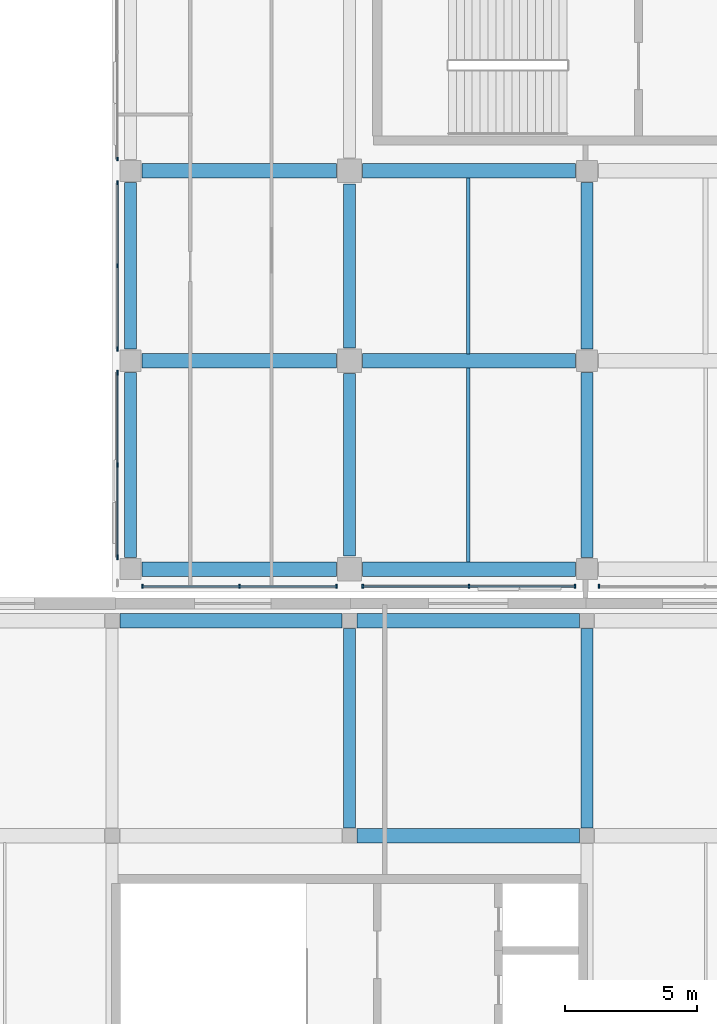
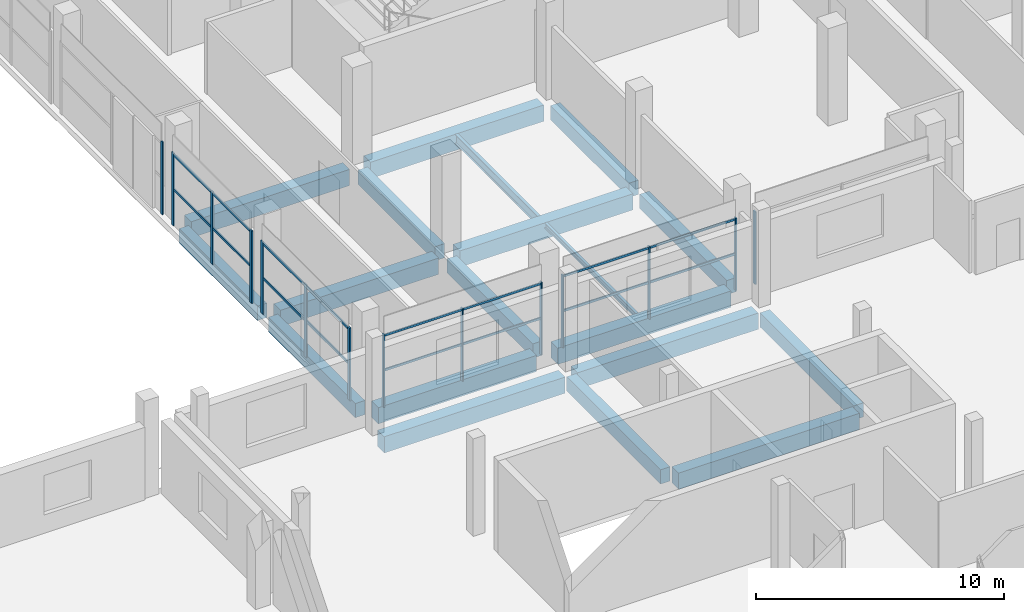
# One storey, part 27 of 111: 22 members, 19 beams, 6 elements without a shape of their own.
"""IFC4 building model written with IfcOpenShell, lengths in metres."""

import ifcopenshell
import ifcopenshell.guid

model = None  # the IFC model being written
_history = None  # IfcOwnerHistory: only IFC2X3 demands one
_inside = {}  # id of a spatial element -> (the spatial element, [elements in it])
_under = {}  # id of a project, library or spatial element -> (it, [spatial elements below it])
_declared = {}  # id of a project -> (the project, [libraries it declares])
_typed = {}  # id of a type object -> (the type object, [elements of that type])
_made_of = {}  # id of a material, layer set ... -> (it, [elements and type objects made of it])


def new_model(schema):
    """Start an empty IFC model of exactly this schema.

    Asked for "IFC4X3", IfcOpenShell would pick the latest addendum, in which some entities
    have other attributes; the version numbers below select the first issue.
    IFC2X3 requires an IfcOwnerHistory on every rooted entity: one is made here for all.
    """
    global model, _history
    if schema == "IFC4X3":
        model = ifcopenshell.file(schema_version=(4, 3, 0, 0))
    else:
        model = ifcopenshell.file(schema=schema)
    _inside.clear()
    _under.clear()
    _declared.clear()
    _typed.clear()
    _made_of.clear()
    _history = None
    if model.schema == "IFC2X3":
        org = make("IfcOrganization", Name="unknown")
        user = make(
            "IfcPersonAndOrganization",
            ThePerson=make("IfcPerson", FamilyName="unknown"),
            TheOrganization=org,
        )
        app = make(
            "IfcApplication",
            ApplicationDeveloper=org,
            Version="unknown",
            ApplicationFullName="unknown",
            ApplicationIdentifier="unknown",
        )
        _history = make(
            "IfcOwnerHistory",
            OwningUser=user,
            OwningApplication=app,
            ChangeAction="ADDED",
            CreationDate=0,
        )
    return model


def make(cls, **values):
    """One entity of the class cls with the attributes given. An attribute that is None is left unset."""
    return model.create_entity(
        cls, **{name: value for name, value in values.items() if value is not None}
    )


def rooted(cls, **values):
    """An entity with a GlobalId (a new one), such as an element, a storey or a relation."""
    return make(cls, GlobalId=ifcopenshell.guid.new(), OwnerHistory=_history, **values)


def si_unit(unit_type, name, prefix=None):
    """IfcSIUnit, for example si_unit("LENGTHUNIT", "METRE", prefix="MILLI")."""
    return make("IfcSIUnit", UnitType=unit_type, Prefix=prefix, Name=name)


def assignment(units):
    """IfcUnitAssignment: the units of a project."""
    return None if units is None else make("IfcUnitAssignment", Units=units)


def point(xyz):
    """IfcCartesianPoint."""
    return None if xyz is None else make("IfcCartesianPoint", Coordinates=xyz)


def direction(xyz):
    """IfcDirection."""
    return None if xyz is None else make("IfcDirection", DirectionRatios=xyz)


def frame(location, z_axis=None, x_axis=None):
    """IfcAxis2Placement3D, a coordinate frame: its origin and axes. An axis left out is left unset."""
    return make(
        "IfcAxis2Placement3D",
        Location=point(location),
        Axis=direction(z_axis),
        RefDirection=direction(x_axis),
    )


def frame_2d(location, x_axis=None):
    """IfcAxis2Placement2D, a coordinate frame in the plane: its origin and x axis."""
    return make(
        "IfcAxis2Placement2D", Location=point(location), RefDirection=direction(x_axis)
    )


def origin():
    """The frame at (0, 0, 0) with its axes left unset."""
    return frame((0.0, 0.0, 0.0))


def origin_2d():
    """The frame at (0, 0) in the plane with its x axis left unset."""
    return frame_2d((0.0, 0.0))


def place(relative_to, where):
    """IfcLocalPlacement: puts the frame where relative to a parent placement (None: the world)."""
    return make(
        "IfcLocalPlacement", PlacementRelTo=relative_to, RelativePlacement=where
    )


def context(
    kind, dimensions, precision=None, world=None, true_north=None, identifier=None
):
    """IfcGeometricRepresentationContext, for example the 3D "Model" context."""
    return make(
        "IfcGeometricRepresentationContext",
        ContextIdentifier=identifier,
        ContextType=kind,
        CoordinateSpaceDimension=dimensions,
        Precision=precision,
        WorldCoordinateSystem=world,
        TrueNorth=true_north,
    )


def subcontext(parent, identifier, kind, view, scale=None):
    """IfcGeometricRepresentationSubContext, for example "Body" below "Model"."""
    return make(
        "IfcGeometricRepresentationSubContext",
        ContextIdentifier=identifier,
        ContextType=kind,
        ParentContext=parent,
        TargetScale=scale,
        TargetView=view,
    )


def project(units=None, contexts=None):
    """IfcProject with its units and contexts."""
    return rooted(
        "IfcProject",
        Name="project",
        RepresentationContexts=contexts,
        UnitsInContext=assignment(units),
    )


def spatial(cls, under=None, at=None, **own):
    """A site, building, storey or space (cls), placed at a placement, below another one or the project."""
    s = rooted(cls, ObjectPlacement=at, **own)
    if under is not None:
        _under.setdefault(under.id(), (under, []))[1].append(s)
    return s


def profile(cls, at=None, kind="AREA", **sizes):
    """A parametric profile (cls). Its sizes go by their IFC names, for example OverallWidth=200.0."""
    return make(cls, ProfileType=kind, Position=at, **sizes)


def rectangle(**sizes):
    """IfcRectangleProfileDef."""
    return profile("IfcRectangleProfileDef", **sizes)


def i_section(**sizes):
    """IfcIShapeProfileDef."""
    return profile("IfcIShapeProfileDef", **sizes)


def extrude(swept, where, along, depth):
    """IfcExtrudedAreaSolid: the profile swept, set in the frame where, extruded along a direction by depth."""
    return make(
        "IfcExtrudedAreaSolid",
        SweptArea=swept,
        Position=where,
        ExtrudedDirection=direction(along),
        Depth=depth,
    )


def shape(context_of_items, identifier, shape_type, items):
    """IfcShapeRepresentation: the items that make up one representation, for example the "Body"."""
    return make(
        "IfcShapeRepresentation",
        ContextOfItems=context_of_items,
        RepresentationIdentifier=identifier,
        RepresentationType=shape_type,
        Items=items,
    )


def material(Name=None, Category=None):
    """IfcMaterial."""
    return make("IfcMaterial", Name=Name, Category=Category)


def material_profile(
    of_material, cross_section, Name=None, Category=None, Priority=None
):
    """IfcMaterialProfile: a cross section and its material."""
    return make(
        "IfcMaterialProfile",
        Name=Name,
        Material=of_material,
        Profile=cross_section,
        Priority=Priority,
        Category=Category,
    )


def profile_set(profiles, Name=None, composite=None):
    """IfcMaterialProfileSet."""
    return make(
        "IfcMaterialProfileSet",
        Name=Name,
        MaterialProfiles=profiles,
        CompositeProfile=composite,
    )


def made_of(thing, what):
    """Note that an element or type object is made of a material, layer set ...; save() writes the relation."""
    if what is not None:
        _made_of.setdefault(what.id(), (what, []))[1].append(thing)
    return thing


def type_object(cls, material=None, **own):
    """A type object (cls), such as IfcWallType, which elements share."""
    return made_of(rooted(cls, **own), material)


def element(
    cls,
    number,
    at=None,
    inside=None,
    cuts=None,
    type_object=None,
    material=None,
    context=None,
    identifier="Body",
    shape_type=None,
    held_by="IfcProductDefinitionShape",
    body=None,
    shapes=None,
    **own,
):
    """One element of the class cls, such as IfcWall. Its Tag is "e" and its number.

    at: its placement. inside: the storey or other place that contains it. cuts: it is an
    opening in that element (IfcRelVoidsElement). A single representation is given by context,
    identifier, shape_type and body (its items); several are given by shapes. held_by: the class
    of the entity that holds the representations. save() writes the other relations.
    """
    e = rooted(cls, Tag="e%d" % number, ObjectPlacement=at, **own)
    if body is not None:
        shapes = [shape(context, identifier, shape_type, body)]
    if shapes is not None:
        e.Representation = make(held_by, Representations=shapes)
    if inside is not None:
        _inside.setdefault(inside.id(), (inside, []))[1].append(e)
    if cuts is not None:
        rooted(
            "IfcRelVoidsElement", RelatingBuildingElement=cuts, RelatedOpeningElement=e
        )
    if type_object is not None:
        _typed.setdefault(type_object.id(), (type_object, []))[1].append(e)
    return made_of(e, material)


def aggregate(whole, parts):
    """IfcRelAggregates: a whole, such as a stair, and the parts it consists of."""
    return rooted("IfcRelAggregates", RelatingObject=whole, RelatedObjects=parts)


def save(model, path):
    """Write the relations noted so far, then the file.

    IfcRelAggregates (storeys below a building ...), IfcRelContainedInSpatialStructure (elements
    in a storey), IfcRelDefinesByType, IfcRelAssociatesMaterial and IfcRelDeclares: one each for
    every whole, place, type object, material and project.
    """
    for whole, parts in _under.values():
        aggregate(whole, parts)
    for where, things in _inside.values():
        rooted(
            "IfcRelContainedInSpatialStructure",
            RelatedElements=things,
            RelatingStructure=where,
        )
    for kind, things in _typed.values():
        rooted("IfcRelDefinesByType", RelatedObjects=things, RelatingType=kind)
    for what, things in _made_of.values():
        rooted("IfcRelAssociatesMaterial", RelatedObjects=things, RelatingMaterial=what)
    for by, libraries in _declared.values():
        rooted("IfcRelDeclares", RelatingContext=by, RelatedDefinitions=libraries)
    model.write(path)


model = new_model("IFC4")

# Units and contexts
model_context = context("Model", 3, precision=1e-05, world=origin(), true_north=direction((0.0, 1.0)))
body_context = subcontext(model_context, "Body", "Model", "MODEL_VIEW")
ifc_project = project(units=[si_unit("LENGTHUNIT", "METRE"), si_unit("AREAUNIT", "SQUARE_METRE"), si_unit("VOLUMEUNIT", "CUBIC_METRE"), si_unit("PLANEANGLEUNIT", "RADIAN"), si_unit("MASSUNIT", "GRAM", prefix="KILO"), si_unit("THERMODYNAMICTEMPERATUREUNIT", "KELVIN"), si_unit("POWERUNIT", "WATT")], contexts=[model_context])

# Site, building, storey
site_placement = place(None, origin())
site = spatial("IfcSite", under=ifc_project, at=site_placement, CompositionType="ELEMENT")
building_placement = place(site_placement, origin())
building = spatial("IfcBuilding", under=site, at=building_placement, Name="Sindhuravela Promenade Stadium", CompositionType="ELEMENT")
storey_placement = place(building_placement, frame((0.0, 0.0, 9.60009765625)))
storey = spatial("IfcBuildingStorey", under=building, at=storey_placement, Name="L02", CompositionType="ELEMENT", Elevation=9.60009765625)

# Curtain wall, members
ifc_material_1 = material(Name="Anodised architectural aluminium 6063-T6", Category="aluminium")
curtain_wall_type_1 = type_object("IfcCurtainWallType", Name="CW-MOD-5", PredefinedType="NOTDEFINED", material=ifc_material_1)
curtain_wall_1_placement = place(storey_placement, origin())
curtain_wall_1 = element("IfcCurtainWall", 1, at=curtain_wall_1_placement, inside=storey, type_object=curtain_wall_type_1, Name="Bronze curtain wall CW-EAST-L02-092", PredefinedType="NOTDEFINED")
ifc_material_profile_1 = material_profile(ifc_material_1, rectangle(XDim=0.06005859375, YDim=0.179931640625, at=origin_2d()), Name="ALU M60x180")
ifc_profile_set_1 = profile_set([ifc_material_profile_1], Name="Anodised architectural aluminium 6063-T6")
member_type_1 = type_object("IfcMemberType", Name="CW-MUL-3", PredefinedType="MULLION", material=ifc_profile_set_1)
member_1_placement = place(storey_placement, frame((171.199951171875, 37.550048828125, 0.0), z_axis=(0.0, 0.0, 1.0), x_axis=(1.0, 0.0, 0.0)))
member_1 = element("IfcMember", 2, at=member_1_placement, type_object=member_type_1, Name="Curtain wall mullion CW-EAST-L02-092-M1", PredefinedType="MULLION", context=body_context, shape_type="SweptSolid", body=[
    extrude(rectangle(XDim=0.06005859375, YDim=0.179931640625, at=origin_2d()), origin(), (0.0, 0.0, 1.0), 3.579833984375),
])
member_2_placement = place(storey_placement, frame((171.199951171875, 41.050048828125, 0.0), z_axis=(0.0, 0.0, 1.0), x_axis=(1.0, 0.0, 0.0)))
member_2 = element("IfcMember", 3, at=member_2_placement, type_object=member_type_1, Name="Curtain wall mullion CW-EAST-L02-092-M2", PredefinedType="MULLION", context=body_context, shape_type="SweptSolid", body=[
    extrude(rectangle(XDim=0.06005859375, YDim=0.179931640625, at=origin_2d()), origin(), (0.0, 0.0, 1.0), 3.579833984375),
])
member_3_placement = place(storey_placement, frame((171.199951171875, 44.550048828125, 0.0), z_axis=(0.0, 0.0, 1.0), x_axis=(1.0, 0.0, 0.0)))
member_3 = element("IfcMember", 4, at=member_3_placement, type_object=member_type_1, Name="Curtain wall mullion CW-EAST-L02-092-M3", PredefinedType="MULLION", context=body_context, shape_type="SweptSolid", body=[
    extrude(rectangle(XDim=0.06005859375, YDim=0.179931640625, at=origin_2d()), origin(), (0.0, 0.0, 1.0), 3.579833984375),
])

curtain_wall_type_2 = type_object("IfcCurtainWallType", Name="CW-MOD-6", PredefinedType="NOTDEFINED", material=ifc_material_1)
curtain_wall_2_placement = place(storey_placement, origin())
curtain_wall_2 = element("IfcCurtainWall", 5, at=curtain_wall_2_placement, inside=storey, type_object=curtain_wall_type_2, Name="Bronze curtain wall CW-EAST-L02-093", PredefinedType="NOTDEFINED")
ifc_material_profile_2 = material_profile(ifc_material_1, rectangle(XDim=0.06005859375, YDim=0.159912109375, at=origin_2d()), Name="ALU M60x160")
ifc_profile_set_2 = profile_set([ifc_material_profile_2], Name="Anodised architectural aluminium 6063-T6")
member_type_2 = type_object("IfcMemberType", Name="CW-MUL-4", PredefinedType="MULLION", material=ifc_profile_set_2)
member_4_placement = place(storey_placement, frame((171.199951171875, 45.449951171875, 0.0), z_axis=(0.0, 0.0, 1.0), x_axis=(1.0, 0.0, 0.0)))
member_4 = element("IfcMember", 6, at=member_4_placement, type_object=member_type_2, Name="Curtain wall mullion CW-EAST-L02-093-M1", PredefinedType="MULLION", context=body_context, shape_type="SweptSolid", body=[
    extrude(rectangle(XDim=0.06005859375, YDim=0.159912109375, at=origin_2d()), origin(), (0.0, 0.0, 1.0), 3.579833984375),
])
member_5_placement = place(storey_placement, frame((171.199951171875, 48.60009765625, 0.0), z_axis=(0.0, 0.0, 1.0), x_axis=(1.0, 0.0, 0.0)))
member_5 = element("IfcMember", 7, at=member_5_placement, type_object=member_type_2, Name="Curtain wall mullion CW-EAST-L02-093-M2", PredefinedType="MULLION", context=body_context, shape_type="SweptSolid", body=[
    extrude(rectangle(XDim=0.06005859375, YDim=0.159912109375, at=origin_2d()), origin(), (0.0, 0.0, 1.0), 3.579833984375),
])
member_6_placement = place(storey_placement, frame((171.199951171875, 51.75, 0.0), z_axis=(0.0, 0.0, 1.0), x_axis=(1.0, 0.0, 0.0)))
member_6 = element("IfcMember", 8, at=member_6_placement, type_object=member_type_2, Name="Curtain wall mullion CW-EAST-L02-093-M3", PredefinedType="MULLION", context=body_context, shape_type="SweptSolid", body=[
    extrude(rectangle(XDim=0.06005859375, YDim=0.159912109375, at=origin_2d()), origin(), (0.0, 0.0, 1.0), 3.579833984375),
])

# Curtain wall, member
curtain_wall_3_placement = place(storey_placement, origin())
curtain_wall_3 = element("IfcCurtainWall", 9, at=curtain_wall_3_placement, inside=storey, type_object=curtain_wall_type_2, Name="Bronze curtain wall CW-EAST-L02-117", PredefinedType="NOTDEFINED")
member_7_placement = place(storey_placement, frame((189.449951171875, 36.449951171875, 0.0), z_axis=(0.0, 0.0, 1.0), x_axis=(1.0, 0.0, 0.0)))
member_7 = element("IfcMember", 10, at=member_7_placement, type_object=member_type_2, Name="Curtain wall mullion CW-EAST-L02-117-M3", PredefinedType="MULLION", context=body_context, shape_type="SweptSolid", body=[
    extrude(rectangle(XDim=0.06005859375, YDim=0.159912109375, at=origin_2d()), origin(), (0.0, 0.0, 1.0), 3.579833984375),
])
aggregate(curtain_wall_3, [member_7])

curtain_wall_type_3 = type_object("IfcCurtainWallType", Name="CW-MOD-7", PredefinedType="NOTDEFINED", material=ifc_material_1)
curtain_wall_4_placement = place(storey_placement, origin())
curtain_wall_4 = element("IfcCurtainWall", 11, at=curtain_wall_4_placement, inside=storey, type_object=curtain_wall_type_3, Name="Bronze curtain wall CW-EAST-L02-094", PredefinedType="NOTDEFINED")
ifc_material_profile_3 = material_profile(ifc_material_1, rectangle(XDim=0.06005859375, YDim=0.139892578125, at=origin_2d()), Name="ALU M60x140")
ifc_profile_set_3 = profile_set([ifc_material_profile_3], Name="Anodised architectural aluminium 6063-T6")
member_type_3 = type_object("IfcMemberType", Name="CW-MUL-5", PredefinedType="MULLION", material=ifc_profile_set_3)
member_8_placement = place(storey_placement, frame((171.199951171875, 52.64990234375, 0.0), z_axis=(0.0, 0.0, 1.0), x_axis=(1.0, 0.0, 0.0)))
member_8 = element("IfcMember", 12, at=member_8_placement, type_object=member_type_3, Name="Curtain wall mullion CW-EAST-L02-094-M1", PredefinedType="MULLION", context=body_context, shape_type="SweptSolid", body=[
    extrude(rectangle(XDim=0.06005859375, YDim=0.139892578125, at=origin_2d()), origin(), (0.0, 0.0, 1.0), 3.579833984375),
])
aggregate(curtain_wall_4, [member_8])

# Curtain wall, members
curtain_wall_5_placement = place(storey_placement, origin())
curtain_wall_5 = element("IfcCurtainWall", 13, at=curtain_wall_5_placement, inside=storey, type_object=curtain_wall_type_3, Name="Bronze curtain wall CW-EAST-L02-118", PredefinedType="NOTDEFINED")
member_9_placement = place(storey_placement, frame((188.550048828125, 36.449951171875, 0.0), z_axis=(0.0, 0.0, 1.0), x_axis=(1.0, 0.0, 0.0)))
member_9 = element("IfcMember", 14, at=member_9_placement, type_object=member_type_3, Name="Curtain wall mullion CW-EAST-L02-118-M1", PredefinedType="MULLION", context=body_context, shape_type="SweptSolid", body=[
    extrude(rectangle(XDim=0.06005859375, YDim=0.139892578125, at=origin_2d()), origin(), (0.0, 0.0, 1.0), 3.579833984375),
])
member_10_placement = place(storey_placement, frame((184.52490234375, 36.449951171875, 0.0), z_axis=(0.0, 0.0, 1.0), x_axis=(1.0, 0.0, 0.0)))
member_10 = element("IfcMember", 15, at=member_10_placement, type_object=member_type_3, Name="Curtain wall mullion CW-EAST-L02-118-M2", PredefinedType="MULLION", context=body_context, shape_type="SweptSolid", body=[
    extrude(rectangle(XDim=0.06005859375, YDim=0.139892578125, at=origin_2d()), origin(), (0.0, 0.0, 1.0), 3.579833984375),
])
member_11_placement = place(storey_placement, frame((180.5, 36.449951171875, 0.0), z_axis=(0.0, 0.0, 1.0), x_axis=(1.0, 0.0, 0.0)))
member_11 = element("IfcMember", 16, at=member_11_placement, type_object=member_type_3, Name="Curtain wall mullion CW-EAST-L02-118-M3", PredefinedType="MULLION", context=body_context, shape_type="SweptSolid", body=[
    extrude(rectangle(XDim=0.06005859375, YDim=0.139892578125, at=origin_2d()), origin(), (0.0, 0.0, 1.0), 3.579833984375),
])

curtain_wall_type_4 = type_object("IfcCurtainWallType", Name="CW-MOD-8", PredefinedType="NOTDEFINED", material=ifc_material_1)
curtain_wall_6_placement = place(storey_placement, origin())
curtain_wall_6 = element("IfcCurtainWall", 17, at=curtain_wall_6_placement, inside=storey, type_object=curtain_wall_type_4, Name="Bronze curtain wall CW-EAST-L02-119", PredefinedType="NOTDEFINED")
ifc_material_profile_4 = material_profile(ifc_material_1, rectangle(XDim=0.054931640625, YDim=0.14990234375, at=origin_2d()), Name="ALU M55x150")
ifc_profile_set_4 = profile_set([ifc_material_profile_4], Name="Anodised architectural aluminium 6063-T6")
member_type_4 = type_object("IfcMemberType", Name="CW-MUL-6", PredefinedType="MULLION", material=ifc_profile_set_4)
member_12_placement = place(storey_placement, frame((179.5, 36.449951171875, 0.0), z_axis=(0.0, 0.0, 1.0), x_axis=(1.0, 0.0, 0.0)))
member_12 = element("IfcMember", 18, at=member_12_placement, type_object=member_type_4, Name="Curtain wall mullion CW-EAST-L02-119-M1", PredefinedType="MULLION", context=body_context, shape_type="SweptSolid", body=[
    extrude(rectangle(XDim=0.054931640625, YDim=0.14990234375, at=origin_2d()), origin(), (0.0, 0.0, 1.0), 3.579833984375),
])
member_13_placement = place(storey_placement, frame((175.824951171875, 36.449951171875, 0.0), z_axis=(0.0, 0.0, 1.0), x_axis=(1.0, 0.0, 0.0)))
member_13 = element("IfcMember", 19, at=member_13_placement, type_object=member_type_4, Name="Curtain wall mullion CW-EAST-L02-119-M2", PredefinedType="MULLION", context=body_context, shape_type="SweptSolid", body=[
    extrude(rectangle(XDim=0.054931640625, YDim=0.14990234375, at=origin_2d()), origin(), (0.0, 0.0, 1.0), 3.579833984375),
])
member_14_placement = place(storey_placement, frame((172.14990234375, 36.449951171875, 0.0), z_axis=(0.0, 0.0, 1.0), x_axis=(1.0, 0.0, 0.0)))
member_14 = element("IfcMember", 20, at=member_14_placement, type_object=member_type_4, Name="Curtain wall mullion CW-EAST-L02-119-M3", PredefinedType="MULLION", context=body_context, shape_type="SweptSolid", body=[
    extrude(rectangle(XDim=0.054931640625, YDim=0.14990234375, at=origin_2d()), origin(), (0.0, 0.0, 1.0), 3.579833984375),
])

# Member
ifc_material_profile_5 = material_profile(ifc_material_1, rectangle(XDim=0.06005859375, YDim=0.1298828125, at=origin_2d()), Name="ALU T60x130")
ifc_profile_set_5 = profile_set([ifc_material_profile_5], Name="Anodised architectural aluminium 6063-T6")
member_type_5 = type_object("IfcMemberType", Name="CW-TRN-3", PredefinedType="USERDEFINED", material=ifc_profile_set_5)
member_15_placement = place(storey_placement, frame((171.199951171875, 37.52490234375, 1.789794921875), z_axis=(0.0, 1.0, 0.0), x_axis=(-1.0, 0.0, 0.0)))
member_15 = element("IfcMember", 21, at=member_15_placement, type_object=member_type_5, Name="Curtain wall transom CW-EAST-L02-092-T1", ObjectType="TRANSOM", PredefinedType="USERDEFINED", context=body_context, shape_type="SweptSolid", body=[
    extrude(rectangle(XDim=0.06005859375, YDim=0.1298828125, at=origin_2d()), origin(), (0.0, 0.0, 1.0), 7.050048828125),
])

member_16_placement = place(storey_placement, frame((171.199951171875, 37.52490234375, 3.5), z_axis=(0.0, 1.0, 0.0), x_axis=(-1.0, 0.0, 0.0)))
member_16 = element("IfcMember", 22, at=member_16_placement, type_object=member_type_5, Name="Curtain wall transom CW-EAST-L02-092-T2", ObjectType="TRANSOM", PredefinedType="USERDEFINED", context=body_context, shape_type="SweptSolid", body=[
    extrude(rectangle(XDim=0.06005859375, YDim=0.1298828125, at=origin_2d()), origin(), (0.0, 0.0, 1.0), 7.050048828125),
])

aggregate(curtain_wall_1, [member_1, member_2, member_3, member_15, member_16])

ifc_material_profile_6 = material_profile(ifc_material_1, rectangle(XDim=0.06005859375, YDim=0.1201171875, at=origin_2d()), Name="ALU T60x120")
ifc_profile_set_6 = profile_set([ifc_material_profile_6], Name="Anodised architectural aluminium 6063-T6")
member_type_6 = type_object("IfcMemberType", Name="CW-TRN-4", PredefinedType="USERDEFINED", material=ifc_profile_set_6)
member_17_placement = place(storey_placement, frame((171.199951171875, 45.425048828125, 1.789794921875), z_axis=(0.0, 1.0, 0.0), x_axis=(-1.0, 0.0, 0.0)))
member_17 = element("IfcMember", 23, at=member_17_placement, type_object=member_type_6, Name="Curtain wall transom CW-EAST-L02-093-T1", ObjectType="TRANSOM", PredefinedType="USERDEFINED", context=body_context, shape_type="SweptSolid", body=[
    extrude(rectangle(XDim=0.06005859375, YDim=0.1201171875, at=origin_2d()), origin(), (0.0, 0.0, 1.0), 6.349853515625),
])

member_18_placement = place(storey_placement, frame((171.199951171875, 45.425048828125, 3.5), z_axis=(0.0, 1.0, 0.0), x_axis=(-1.0, 0.0, 0.0)))
member_18 = element("IfcMember", 24, at=member_18_placement, type_object=member_type_6, Name="Curtain wall transom CW-EAST-L02-093-T2", ObjectType="TRANSOM", PredefinedType="USERDEFINED", context=body_context, shape_type="SweptSolid", body=[
    extrude(rectangle(XDim=0.06005859375, YDim=0.1201171875, at=origin_2d()), origin(), (0.0, 0.0, 1.0), 6.349853515625),
])

aggregate(curtain_wall_2, [member_4, member_5, member_6, member_17, member_18])

ifc_material_profile_7 = material_profile(ifc_material_1, rectangle(XDim=0.06005859375, YDim=0.110107421875, at=origin_2d()), Name="ALU T60x110")
ifc_profile_set_7 = profile_set([ifc_material_profile_7], Name="Anodised architectural aluminium 6063-T6")
member_type_7 = type_object("IfcMemberType", Name="CW-TRN-5", PredefinedType="USERDEFINED", material=ifc_profile_set_7)
member_19_placement = place(storey_placement, frame((188.574951171875, 36.449951171875, 1.789794921875), z_axis=(-1.0, 0.0, 0.0), x_axis=(0.0, -1.0, 0.0)))
member_19 = element("IfcMember", 25, at=member_19_placement, type_object=member_type_7, Name="Curtain wall transom CW-EAST-L02-118-T1", ObjectType="TRANSOM", PredefinedType="USERDEFINED", context=body_context, shape_type="SweptSolid", body=[
    extrude(rectangle(XDim=0.06005859375, YDim=0.110107421875, at=origin_2d()), origin(), (0.0, 0.0, 1.0), 8.099853515625),
])

member_20_placement = place(storey_placement, frame((188.574951171875, 36.449951171875, 3.5), z_axis=(-1.0, 0.0, 0.0), x_axis=(0.0, -1.0, 0.0)))
member_20 = element("IfcMember", 26, at=member_20_placement, type_object=member_type_7, Name="Curtain wall transom CW-EAST-L02-118-T2", ObjectType="TRANSOM", PredefinedType="USERDEFINED", context=body_context, shape_type="SweptSolid", body=[
    extrude(rectangle(XDim=0.06005859375, YDim=0.110107421875, at=origin_2d()), origin(), (0.0, 0.0, 1.0), 8.099853515625),
])

aggregate(curtain_wall_5, [member_9, member_10, member_11, member_19, member_20])

ifc_material_profile_8 = material_profile(ifc_material_1, rectangle(XDim=0.054931640625, YDim=0.10498046875, at=origin_2d()), Name="ALU T55x105")
ifc_profile_set_8 = profile_set([ifc_material_profile_8], Name="Anodised architectural aluminium 6063-T6")
member_type_8 = type_object("IfcMemberType", Name="CW-TRN-6", PredefinedType="USERDEFINED", material=ifc_profile_set_8)
member_21_placement = place(storey_placement, frame((179.52490234375, 36.449951171875, 1.789794921875), z_axis=(-1.0, 0.0, 0.0), x_axis=(0.0, -1.0, 0.0)))
member_21 = element("IfcMember", 27, at=member_21_placement, type_object=member_type_8, Name="Curtain wall transom CW-EAST-L02-119-T1", ObjectType="TRANSOM", PredefinedType="USERDEFINED", context=body_context, shape_type="SweptSolid", body=[
    extrude(rectangle(XDim=0.054931640625, YDim=0.10498046875, at=origin_2d()), origin(), (0.0, 0.0, 1.0), 7.39990234375),
])

member_22_placement = place(storey_placement, frame((179.52490234375, 36.449951171875, 3.5), z_axis=(-1.0, 0.0, 0.0), x_axis=(0.0, -1.0, 0.0)))
member_22 = element("IfcMember", 28, at=member_22_placement, type_object=member_type_8, Name="Curtain wall transom CW-EAST-L02-119-T2", ObjectType="TRANSOM", PredefinedType="USERDEFINED", context=body_context, shape_type="SweptSolid", body=[
    extrude(rectangle(XDim=0.054931640625, YDim=0.10498046875, at=origin_2d()), origin(), (0.0, 0.0, 1.0), 7.39990234375),
])

aggregate(curtain_wall_6, [member_12, member_13, member_14, member_21, member_22])

# Beams
ifc_material_2 = material(Name="Concrete M40", Category="concrete")
ifc_material_profile_9 = material_profile(ifc_material_2, rectangle(XDim=0.449951171875, YDim=0.699951171875, at=origin_2d()), Name="RC 450x700")
ifc_profile_set_9 = profile_set([ifc_material_profile_9], Name="Concrete M40")
beam_type_1 = type_object("IfcBeamType", Name="RC-BM-450x700", PredefinedType="BEAM", material=ifc_profile_set_9)
beam_1_placement = place(storey_placement, frame((171.699951171875, 37.5400390625, -0.630126953125), z_axis=(0.0, 1.0, 0.0), x_axis=(-1.0, 0.0, 0.0)))
element("IfcBeam", 29, at=beam_1_placement, inside=storey, type_object=beam_type_1, Name="Primary beam GB07 EAST L02", PredefinedType="BEAM", context=body_context, shape_type="SweptSolid", body=[
    extrude(rectangle(XDim=0.449951171875, YDim=0.699951171875, at=origin_2d()), origin(), (0.0, 0.0, 1.0), 7.02001953125),
])
beam_2_placement = place(storey_placement, frame((171.699951171875, 45.43994140625, -0.630126953125), z_axis=(0.0, 1.0, 0.0), x_axis=(-1.0, 0.0, 0.0)))
element("IfcBeam", 30, at=beam_2_placement, inside=storey, type_object=beam_type_1, Name="Primary beam GB07 EAST L02", PredefinedType="BEAM", context=body_context, shape_type="SweptSolid", body=[
    extrude(rectangle(XDim=0.449951171875, YDim=0.699951171875, at=origin_2d()), origin(), (0.0, 0.0, 1.0), 6.320068359375),
])
beam_3_placement = place(storey_placement, frame((180.0, 37.590087890625, -0.630126953125), z_axis=(0.0, 1.0, 0.0), x_axis=(-1.0, 0.0, 0.0)))
element("IfcBeam", 31, at=beam_3_placement, inside=storey, type_object=beam_type_1, Name="Primary beam GB07 EAST L02", PredefinedType="BEAM", context=body_context, shape_type="SweptSolid", body=[
    extrude(rectangle(XDim=0.449951171875, YDim=0.699951171875, at=origin_2d()), origin(), (0.0, 0.0, 1.0), 6.919921875),
])
beam_4_placement = place(storey_placement, frame((180.0, 45.489990234375, -0.630126953125), z_axis=(0.0, 1.0, 0.0), x_axis=(-1.0, 0.0, 0.0)))
element("IfcBeam", 32, at=beam_4_placement, inside=storey, type_object=beam_type_1, Name="Primary beam GB07 EAST L02", PredefinedType="BEAM", context=body_context, shape_type="SweptSolid", body=[
    extrude(rectangle(XDim=0.449951171875, YDim=0.699951171875, at=origin_2d()), origin(), (0.0, 0.0, 1.0), 6.219970703125),
])
beam_5_placement = place(storey_placement, frame((189.0, 37.5400390625, -0.630126953125), z_axis=(0.0, 1.0, 0.0), x_axis=(-1.0, 0.0, 0.0)))
element("IfcBeam", 33, at=beam_5_placement, inside=storey, type_object=beam_type_1, Name="Primary beam GB07 EAST L02", PredefinedType="BEAM", context=body_context, shape_type="SweptSolid", body=[
    extrude(rectangle(XDim=0.449951171875, YDim=0.699951171875, at=origin_2d()), origin(), (0.0, 0.0, 1.0), 7.02001953125),
])
beam_6_placement = place(storey_placement, frame((189.0, 45.43994140625, -0.630126953125), z_axis=(0.0, 1.0, 0.0), x_axis=(-1.0, 0.0, 0.0)))
element("IfcBeam", 34, at=beam_6_placement, inside=storey, type_object=beam_type_1, Name="Primary beam GB07 EAST L02", PredefinedType="BEAM", context=body_context, shape_type="SweptSolid", body=[
    extrude(rectangle(XDim=0.449951171875, YDim=0.699951171875, at=origin_2d()), origin(), (0.0, 0.0, 1.0), 6.320068359375),
])
for number, where, z_axis, x_axis, name in (
    (35, (180.0, 27.2900390625, -0.585205078125), (0.0, 1.0, 0.0), (-1.0, 0.0, 0.0), "Primary beam GB07 Pavilion SE L02"),
    (36, (189.0, 27.2900390625, -0.585205078125), (0.0, 1.0, 0.0), (-1.0, 0.0, 0.0), "Primary beam GB07 Pavilion SE L02"),
):
    element("IfcBeam", number, at=place(storey_placement, frame(where, z_axis=z_axis, x_axis=x_axis)), inside=storey, type_object=beam_type_1, Name=name, PredefinedType="BEAM", context=body_context, shape_type="SweptSolid", body=[
        extrude(rectangle(XDim=0.449951171875, YDim=0.699951171875, at=origin_2d()), origin(), (0.0, 0.0, 1.0), 7.570068359375),
    ])
ifc_material_profile_10 = material_profile(ifc_material_2, rectangle(XDim=0.550048828125, YDim=0.800048828125, at=origin_2d()), Name="RC 550x800")
ifc_profile_set_10 = profile_set([ifc_material_profile_10], Name="Concrete M40")
beam_type_2 = type_object("IfcBeamType", Name="RC-BM-550x800", PredefinedType="BEAM", material=ifc_profile_set_10)
beam_7_placement = place(storey_placement, frame((172.139892578125, 37.10009765625, -0.68017578125), z_axis=(1.0, 0.0, 0.0), x_axis=(0.0, 1.0, 0.0)))
element("IfcBeam", 37, at=beam_7_placement, inside=storey, type_object=beam_type_2, Name="Primary girder GB05 EAST L02", PredefinedType="BEAM", context=body_context, shape_type="SweptSolid", body=[
    extrude(rectangle(XDim=0.550048828125, YDim=0.800048828125, at=origin_2d()), origin(), (0.0, 0.0, 1.0), 7.3701171875),
])
beam_8_placement = place(storey_placement, frame((180.489990234375, 37.10009765625, -0.68017578125), z_axis=(1.0, 0.0, 0.0), x_axis=(0.0, 1.0, 0.0)))
element("IfcBeam", 38, at=beam_8_placement, inside=storey, type_object=beam_type_2, Name="Primary girder GB05 EAST L02", PredefinedType="BEAM", context=body_context, shape_type="SweptSolid", body=[
    extrude(rectangle(XDim=0.550048828125, YDim=0.800048828125, at=origin_2d()), origin(), (0.0, 0.0, 1.0), 8.070068359375),
])
beam_9_placement = place(storey_placement, frame((172.139892578125, 45.0, -0.68017578125), z_axis=(1.0, 0.0, 0.0), x_axis=(0.0, 1.0, 0.0)))
element("IfcBeam", 39, at=beam_9_placement, inside=storey, type_object=beam_type_2, Name="Primary girder GB05 EAST L02", PredefinedType="BEAM", context=body_context, shape_type="SweptSolid", body=[
    extrude(rectangle(XDim=0.550048828125, YDim=0.800048828125, at=origin_2d()), origin(), (0.0, 0.0, 1.0), 7.3701171875),
])
beam_10_placement = place(storey_placement, frame((180.489990234375, 45.0, -0.68017578125), z_axis=(1.0, 0.0, 0.0), x_axis=(0.0, 1.0, 0.0)))
element("IfcBeam", 40, at=beam_10_placement, inside=storey, type_object=beam_type_2, Name="Primary girder GB05 EAST L02", PredefinedType="BEAM", context=body_context, shape_type="SweptSolid", body=[
    extrude(rectangle(XDim=0.550048828125, YDim=0.800048828125, at=origin_2d()), origin(), (0.0, 0.0, 1.0), 8.070068359375),
])
beam_11_placement = place(storey_placement, frame((172.139892578125, 52.199951171875, -0.68017578125), z_axis=(1.0, 0.0, 0.0), x_axis=(0.0, 1.0, 0.0)))
element("IfcBeam", 41, at=beam_11_placement, inside=storey, type_object=beam_type_2, Name="Primary girder GB05 EAST L02", PredefinedType="BEAM", context=body_context, shape_type="SweptSolid", body=[
    extrude(rectangle(XDim=0.550048828125, YDim=0.800048828125, at=origin_2d()), origin(), (0.0, 0.0, 1.0), 7.3701171875),
])
beam_12_placement = place(storey_placement, frame((180.489990234375, 52.199951171875, -0.68017578125), z_axis=(1.0, 0.0, 0.0), x_axis=(0.0, 1.0, 0.0)))
element("IfcBeam", 42, at=beam_12_placement, inside=storey, type_object=beam_type_2, Name="Primary girder GB05 EAST L02", PredefinedType="BEAM", context=body_context, shape_type="SweptSolid", body=[
    extrude(rectangle(XDim=0.550048828125, YDim=0.800048828125, at=origin_2d()), origin(), (0.0, 0.0, 1.0), 8.070068359375),
])
for number, where, z_axis, x_axis, name in (
    (43, (180.2900390625, 27.0, -0.635009765625), (1.0, 0.0, 0.0), (0.0, 1.0, 0.0), "Primary girder GB05 Pavilion SE L02"),
    (44, (171.2900390625, 35.14990234375, -0.635009765625), (1.0, 0.0, 0.0), (0.0, 1.0, 0.0), "Primary girder GB05 Pavilion SE L02"),
    (45, (180.2900390625, 35.14990234375, -0.635009765625), (1.0, 0.0, 0.0), (0.0, 1.0, 0.0), "Primary girder GB05 Pavilion SE L02"),
):
    element("IfcBeam", number, at=place(storey_placement, frame(where, z_axis=z_axis, x_axis=x_axis)), inside=storey, type_object=beam_type_2, Name=name, PredefinedType="BEAM", context=body_context, shape_type="SweptSolid", body=[
        extrude(rectangle(XDim=0.550048828125, YDim=0.800048828125, at=origin_2d()), origin(), (0.0, 0.0, 1.0), 8.419921875),
    ])
ifc_material_3 = material(Name="Steel E350 (IS 2062 E350BR)", Category="steel")
ifc_material_profile_11 = material_profile(ifc_material_3, i_section(OverallWidth=0.125, OverallDepth=0.25, WebThickness=0.0068359375, FlangeThickness=0.012451171875, FilletRadius=0.012939453125, at=origin_2d()), Name="ISMB 250")
ifc_profile_set_11 = profile_set([ifc_material_profile_11], Name="Steel E350 (IS 2062 E350BR)")
beam_type_3 = type_object("IfcBeamType", Name="ST-BM-MB250", PredefinedType="JOIST", material=ifc_profile_set_11)
beam_13_placement = place(storey_placement, frame((184.5, 37.364990234375, -0.405029296875), z_axis=(0.0, 1.0, 0.0), x_axis=(-1.0, 0.0, 0.0)))
element("IfcBeam", 46, at=beam_13_placement, inside=storey, type_object=beam_type_3, Name="Secondary floor joist SB02 EAST L02", PredefinedType="JOIST", context=body_context, shape_type="SweptSolid", body=[
    extrude(i_section(OverallWidth=0.125, OverallDepth=0.25, WebThickness=0.0068359375, FlangeThickness=0.012451171875, FilletRadius=0.012939453125, at=origin_2d()), origin(), (0.0, 0.0, 1.0), 7.3701171875),
])
ifc_material_profile_12 = material_profile(ifc_material_3, i_section(OverallWidth=0.14990234375, OverallDepth=0.449951171875, WebThickness=0.009521484375, FlangeThickness=0.017333984375, FilletRadius=0.014892578125, at=origin_2d()), Name="ISMB 450")
ifc_profile_set_12 = profile_set([ifc_material_profile_12], Name="Steel E350 (IS 2062 E350BR)")
beam_type_4 = type_object("IfcBeamType", Name="ST-BM-MB450", PredefinedType="BEAM", material=ifc_profile_set_12)
beam_14_placement = place(storey_placement, frame((184.5, 45.264892578125, -0.505126953125), z_axis=(0.0, 1.0, 0.0), x_axis=(-1.0, 0.0, 0.0)))
element("IfcBeam", 47, at=beam_14_placement, inside=storey, type_object=beam_type_4, Name="Secondary floor joist SB06 EAST L02", PredefinedType="BEAM", context=body_context, shape_type="SweptSolid", body=[
    extrude(i_section(OverallWidth=0.14990234375, OverallDepth=0.449951171875, WebThickness=0.009521484375, FlangeThickness=0.017333984375, FilletRadius=0.014892578125, at=origin_2d()), origin(), (0.0, 0.0, 1.0), 6.670166015625),
])

save(model, "model.ifc")
